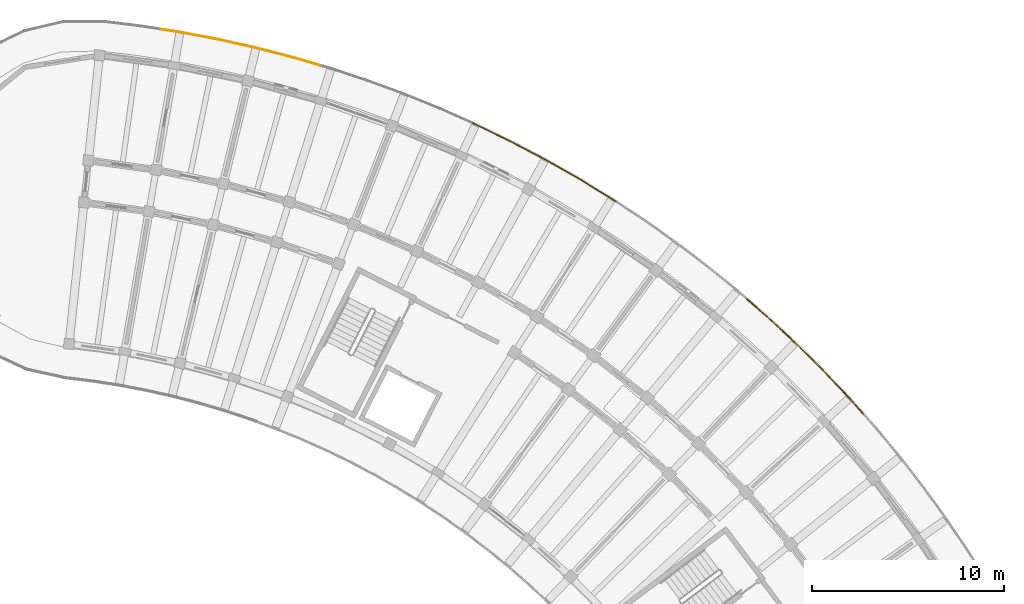
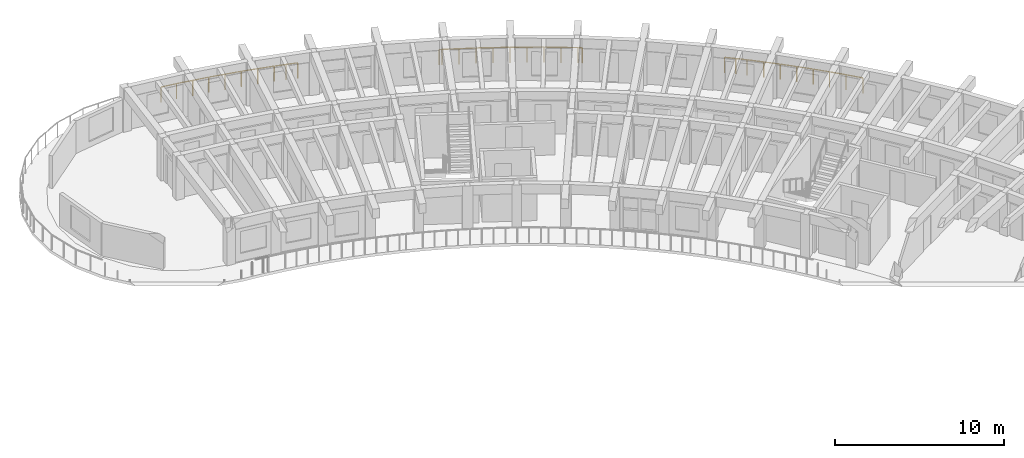
# One storey, part 78 of 78: 3 railings.
"""IFC4 building model written with IfcOpenShell, lengths in metres."""

from ifc_helpers import new_model, si_unit, direction, frame, origin, origin_2d, place, context, subcontext, project, spatial, circle, extrude, material, type_object, element, save


model = new_model("IFC4")

# Units and contexts
model_context = context("Model", 3, precision=1e-05, world=origin(), true_north=direction((0.0, 1.0)))
body_context = subcontext(model_context, "Body", "Model", "MODEL_VIEW")
ifc_project = project(units=[si_unit("LENGTHUNIT", "METRE"), si_unit("AREAUNIT", "SQUARE_METRE"), si_unit("VOLUMEUNIT", "CUBIC_METRE"), si_unit("PLANEANGLEUNIT", "RADIAN"), si_unit("MASSUNIT", "GRAM", prefix="KILO")], contexts=[model_context])

# Site, building, storey
site_placement = place(None, origin())
site = spatial("IfcSite", under=ifc_project, at=site_placement, CompositionType="ELEMENT")
building_placement = place(site_placement, origin())
building = spatial("IfcBuilding", under=site, at=building_placement, Name="Tanwirah Colonnade Gardens", CompositionType="ELEMENT")
storey_placement = place(building_placement, frame((0.0, 0.0, 22.280029296875)))
storey = spatial("IfcBuildingStorey", under=building, at=storey_placement, Name="L06", CompositionType="ELEMENT", Elevation=22.280029296875)

# Railings
ifc_material = material(Name="Precast concrete C40/50", Category="concrete")
railing_type = type_object("IfcRailingType", Name="BAL-EXT112", PredefinedType="BALUSTRADE", material=ifc_material)
railing_1_placement = place(storey_placement, frame((130.427734375, 120.782470703125, 0.0)))
element("IfcRailing", 1, at=railing_1_placement, inside=storey, type_object=railing_type, Name="Block B L06 Balcony Ribbon Balustrade 11", PredefinedType="BALUSTRADE", context=body_context, shape_type="SweptSolid", body=[
    extrude(circle(Radius=0.02392578125, at=origin_2d()), frame((0.031005859375, -0.0048828125, 1.09619140625), z_axis=(0.988127200794, -0.153638000024, 0.0), x_axis=(0.153638000024, 0.988127200794, 0.0)), (0.0, 0.0, 1.0), 0.935302734375),
    extrude(circle(Radius=0.02392578125, at=origin_2d()), frame((1.016845703125, -0.1591796875, 1.09619140625), z_axis=(0.982549371225, -0.186001970705, 0.0), x_axis=(0.186001970705, 0.982549371225, 0.0)), (0.0, 0.0, 1.0), 1.958740234375),
    extrude(circle(Radius=0.02392578125, at=origin_2d()), frame((3.002685546875, -0.5361328125, 1.09619140625), z_axis=(0.975867729966, -0.218362482151, 0.0), x_axis=(0.218362482151, 0.975867729966, 0.0)), (0.0, 0.0, 1.0), 1.958984375),
    extrude(circle(Radius=0.02392578125, at=origin_2d()), frame((4.97509765625, -0.978515625, 1.09619140625), z_axis=(0.968157509899, -0.250341838346, 0.0), x_axis=(0.250341838346, 0.968157509899, 0.0)), (0.0, 0.0, 1.0), 1.959228515625),
    extrude(circle(Radius=0.02392578125, at=origin_2d()), frame((6.93212890625, -1.485595703125, 1.09619140625), z_axis=(0.959341160032, -0.282249072043, 0.0), x_axis=(0.282249072043, 0.959341160032, 0.0)), (0.0, 0.0, 1.0), 1.375),
    extrude(circle(Radius=0.02099609375, at=origin_2d()), origin(), (0.0, 0.0, 1.0), 1.069091796875),
    extrude(circle(Radius=0.02099609375, at=origin_2d()), frame((0.986083984375, -0.1533203125, 0.0)), (0.0, 0.0, 1.0), 1.069091796875),
    extrude(circle(Radius=0.02099609375, at=origin_2d()), frame((1.97900390625, -0.34130859375, 0.0)), (0.0, 0.0, 1.0), 1.069091796875),
    extrude(circle(Radius=0.02099609375, at=origin_2d()), frame((2.97216796875, -0.529296875, 0.0)), (0.0, 0.0, 1.0), 1.069091796875),
    extrude(circle(Radius=0.02099609375, at=origin_2d()), frame((3.95849609375, -0.75, 0.0)), (0.0, 0.0, 1.0), 1.069091796875),
    extrude(circle(Radius=0.02099609375, at=origin_2d()), frame((4.94482421875, -0.970703125, 0.0)), (0.0, 0.0, 1.0), 1.069091796875),
    extrude(circle(Radius=0.02099609375, at=origin_2d()), frame((5.92333984375, -1.2236328125, 0.0)), (0.0, 0.0, 1.0), 1.069091796875),
    extrude(circle(Radius=0.02099609375, at=origin_2d()), frame((6.902099609375, -1.476806640625, 0.0)), (0.0, 0.0, 1.0), 1.069091796875),
    extrude(circle(Radius=0.02099609375, at=origin_2d()), frame((7.591796875, -1.6796875, 0.0)), (0.0, 0.0, 1.0), 1.069091796875),
    extrude(circle(Radius=0.02099609375, at=origin_2d()), frame((8.28125, -1.882568359375, 0.0)), (0.0, 0.0, 1.0), 1.069091796875),
])
railing_2_placement = place(storey_placement, frame((146.652099609375, 115.893798828125, 0.0)))
element("IfcRailing", 2, at=railing_2_placement, inside=storey, type_object=railing_type, Name="Block B L06 Balcony Ribbon Balustrade 13", PredefinedType="BALUSTRADE", context=body_context, shape_type="SweptSolid", body=[
    extrude(circle(Radius=0.02392578125, at=origin_2d()), frame((0.028564453125, -0.0126953125, 1.09619140625), z_axis=(0.913930211461, -0.405871369499, 0.0), x_axis=(0.405871369499, 0.913930211461, 0.0)), (0.0, 0.0, 1.0), 0.107177734375),
    extrude(circle(Radius=0.02392578125, at=origin_2d()), frame((0.18310546875, -0.08251953125, 1.09619140625), z_axis=(0.900055350621, -0.435775591122, 0.0), x_axis=(0.435775591122, 0.900055350621, 0.0)), (0.0, 0.0, 1.0), 1.958740234375),
    extrude(circle(Radius=0.02392578125, at=origin_2d()), frame((2.001953125, -0.96435546875, 1.09619140625), z_axis=(0.885211446817, -0.465188880374, 0.0), x_axis=(0.465188880374, 0.885211446817, 0.0)), (0.0, 0.0, 1.0), 1.958984375),
    extrude(circle(Radius=0.02392578125, at=origin_2d()), frame((3.791015625, -1.905517578125, 1.09619140625), z_axis=(0.869392881113, -0.494121461049, 0.0), x_axis=(0.494121461049, 0.869392881113, 0.0)), (0.0, 0.0, 1.0), 1.958740234375),
    extrude(circle(Radius=0.02392578125, at=origin_2d()), frame((5.5478515625, -2.9052734375, 1.09619140625), z_axis=(0.852660263329, -0.522465764754, 0.0), x_axis=(0.522465764754, 0.852660263329, 0.0)), (0.0, 0.0, 1.0), 1.958984375),
    extrude(circle(Radius=0.02392578125, at=origin_2d()), frame((7.27099609375, -3.962158203125, 1.09619140625), z_axis=(0.834958204617, -0.550313362134, 0.0), x_axis=(0.550313362134, 0.834958204617, 0.0)), (0.0, 0.0, 1.0), 0.181884765625),
    extrude(circle(Radius=0.02099609375, at=origin_2d()), origin(), (0.0, 0.0, 1.0), 1.069091796875),
    extrude(circle(Radius=0.02099609375, at=origin_2d()), frame((0.155029296875, -0.06884765625, 0.0)), (0.0, 0.0, 1.0), 1.069091796875),
    extrude(circle(Radius=0.02099609375, at=origin_2d()), frame((1.064697265625, -0.50927734375, 0.0)), (0.0, 0.0, 1.0), 1.069091796875),
    extrude(circle(Radius=0.02099609375, at=origin_2d()), frame((1.974365234375, -0.94970703125, 0.0)), (0.0, 0.0, 1.0), 1.069091796875),
    extrude(circle(Radius=0.02099609375, at=origin_2d()), frame((2.869140625, -1.419921875, 0.0)), (0.0, 0.0, 1.0), 1.069091796875),
    extrude(circle(Radius=0.02099609375, at=origin_2d()), frame((3.763916015625, -1.89013671875, 0.0)), (0.0, 0.0, 1.0), 1.069091796875),
    extrude(circle(Radius=0.02099609375, at=origin_2d()), frame((4.642578125, -2.3896484375, 0.0)), (0.0, 0.0, 1.0), 1.069091796875),
    extrude(circle(Radius=0.02099609375, at=origin_2d()), frame((5.521240234375, -2.888916015625, 0.0)), (0.0, 0.0, 1.0), 1.069091796875),
    extrude(circle(Radius=0.02099609375, at=origin_2d()), frame((6.383056640625, -3.4169921875, 0.0)), (0.0, 0.0, 1.0), 1.069091796875),
    extrude(circle(Radius=0.02099609375, at=origin_2d()), frame((7.244873046875, -3.945068359375, 0.0)), (0.0, 0.0, 1.0), 1.069091796875),
    extrude(circle(Radius=0.02099609375, at=origin_2d()), frame((7.448974609375, -4.07958984375, 0.0)), (0.0, 0.0, 1.0), 1.069091796875),
])
railing_3_placement = place(storey_placement, frame((160.913330078125, 106.7421875, 0.0)))
element("IfcRailing", 3, at=railing_3_placement, inside=storey, type_object=railing_type, Name="Block B L06 Balcony Ribbon Balustrade 15", PredefinedType="BALUSTRADE", context=body_context, shape_type="SweptSolid", body=[
    extrude(circle(Radius=0.02392578125, at=origin_2d()), frame((0.023681640625, -0.0205078125, 1.09619140625), z_axis=(0.755322467302, -0.655353317218, 0.0), x_axis=(0.655353317218, 0.755322467302, 0.0)), (0.0, 0.0, 1.0), 1.30029296875),
    extrude(circle(Radius=0.02392578125, at=origin_2d()), frame((1.05224609375, -0.914306640625, 1.09619140625), z_axis=(0.733352454033, -0.679848643569, 0.0), x_axis=(0.679848643569, 0.733352454033, 0.0)), (0.0, 0.0, 1.0), 1.958984375),
    extrude(circle(Radius=0.02392578125, at=origin_2d()), frame((2.533935546875, -2.289306640625, 1.09619140625), z_axis=(0.710480209462, -0.703717181801, 0.0), x_axis=(0.703717181801, 0.710480209462, 0.0)), (0.0, 0.0, 1.0), 1.958984375),
    extrude(circle(Radius=0.02392578125, at=origin_2d()), frame((3.969482421875, -3.712646484375, 1.09619140625), z_axis=(0.686960364449, -0.726694886232, 0.0), x_axis=(0.726694886232, 0.686960364449, 0.0)), (0.0, 0.0, 1.0), 1.958984375),
    extrude(circle(Radius=0.02392578125, at=origin_2d()), frame((5.357421875, -5.182373046875, 1.09619140625), z_axis=(0.662667168974, -0.748914029221, 0.0), x_axis=(0.748914029221, 0.662667168974, 0.0)), (0.0, 0.0, 1.0), 1.01025390625),
    extrude(circle(Radius=0.02099609375, at=origin_2d()), origin(), (0.0, 0.0, 1.0), 1.069091796875),
    extrude(circle(Radius=0.02099609375, at=origin_2d()), frame((0.5146484375, -0.446533203125, 0.0)), (0.0, 0.0, 1.0), 1.069091796875),
    extrude(circle(Radius=0.02099609375, at=origin_2d()), frame((1.029296875, -0.89306640625, 0.0)), (0.0, 0.0, 1.0), 1.069091796875),
    extrude(circle(Radius=0.02099609375, at=origin_2d()), frame((1.7705078125, -1.580078125, 0.0)), (0.0, 0.0, 1.0), 1.069091796875),
    extrude(circle(Radius=0.02099609375, at=origin_2d()), frame((2.51171875, -2.267333984375, 0.0)), (0.0, 0.0, 1.0), 1.069091796875),
    extrude(circle(Radius=0.02099609375, at=origin_2d()), frame((3.22998046875, -2.978515625, 0.0)), (0.0, 0.0, 1.0), 1.069091796875),
    extrude(circle(Radius=0.02099609375, at=origin_2d()), frame((3.947998046875, -3.68994140625, 0.0)), (0.0, 0.0, 1.0), 1.069091796875),
    extrude(circle(Radius=0.02099609375, at=origin_2d()), frame((4.642333984375, -4.42431640625, 0.0)), (0.0, 0.0, 1.0), 1.069091796875),
    extrude(circle(Radius=0.02099609375, at=origin_2d()), frame((5.336669921875, -5.158935546875, 0.0)), (0.0, 0.0, 1.0), 1.069091796875),
    extrude(circle(Radius=0.02099609375, at=origin_2d()), frame((6.047607421875, -5.96240234375, 0.0)), (0.0, 0.0, 1.0), 1.069091796875),
])

save(model, "model.ifc")
